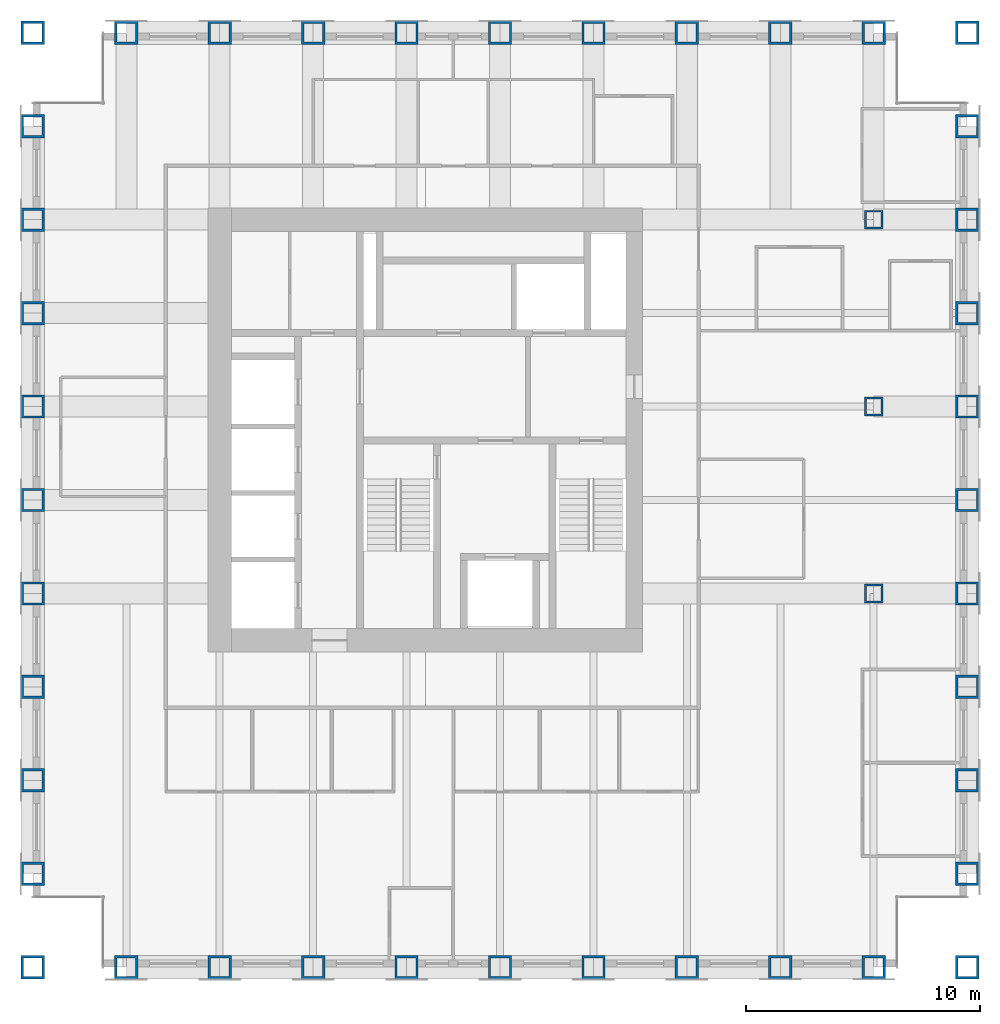
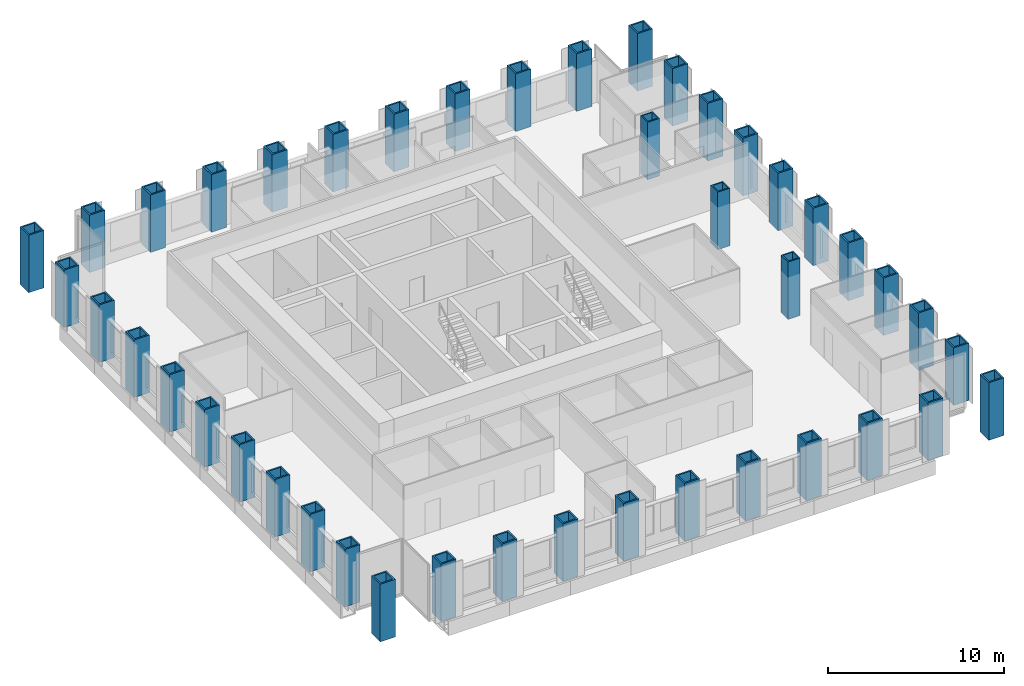
# One storey, part 1 of 13: 43 columns.
"""IFC4 building model written with IfcOpenShell, lengths in metres."""

from ifc_helpers import new_model, si_unit, direction, frame, origin, origin_2d, place, context, subcontext, project, spatial, hollow_rectangle, extrude, material, material_profile, profile_set, type_object, element, save


model = new_model("IFC4")

# Units and contexts
model_context = context("Model", 3, precision=1e-05, world=origin(), true_north=direction((0.0, 1.0)))
body_context = subcontext(model_context, "Body", "Model", "MODEL_VIEW")
ifc_project = project(units=[si_unit("LENGTHUNIT", "METRE"), si_unit("AREAUNIT", "SQUARE_METRE"), si_unit("VOLUMEUNIT", "CUBIC_METRE"), si_unit("PLANEANGLEUNIT", "RADIAN"), si_unit("MASSUNIT", "GRAM", prefix="KILO")], contexts=[model_context])

# Site, building, storey
site_placement = place(None, origin())
site = spatial("IfcSite", under=ifc_project, at=site_placement, CompositionType="ELEMENT")
building_placement = place(site_placement, origin())
building = spatial("IfcBuilding", under=site, at=building_placement, Name="Rimbunsela Tower", CompositionType="ELEMENT")
storey_placement = place(building_placement, frame((0.0, 0.0, 254.199951171875)))
storey = spatial("IfcBuildingStorey", under=building, at=storey_placement, Name="L61", CompositionType="ELEMENT", Elevation=254.199951171875)

# Columns
ifc_material_1 = material(Name="Steel BJ 55 (fy 410 MPa)", Category="steel")
ifc_material_profile_1 = material_profile(ifc_material_1, hollow_rectangle(XDim=1.0, YDim=1.0, WallThickness=0.10009765625, at=origin_2d()), Name="BOX 1000x1000x100")
ifc_profile_set_1 = profile_set([ifc_material_profile_1], Name="Steel BJ 55 (fy 410 MPa)")
column_type_1 = type_object("IfcColumnType", Name="Column BOX 1000x1000x100", PredefinedType="COLUMN", material=ifc_profile_set_1)
for number, where, z_axis, x_axis, name in (
    (1, (10.0, 4.0, 0.0), (0.0, 0.0, 1.0), (1.0, 0.0, 0.0), "Column C1 5/C L61"),
    (2, (10.0, 8.0, 0.0), (0.0, 0.0, 1.0), (1.0, 0.0, 0.0), "Column C1 5/D L61"),
    (3, (10.0, 12.0, 0.0), (0.0, 0.0, 1.0), (1.0, 0.0, 0.0), "Column C1 5/E L61"),
    (4, (10.0, 16.0, 0.0), (0.0, 0.0, 1.0), (1.0, 0.0, 0.0), "Column C1 5/F L61"),
    (5, (10.0, 20.0, 0.0), (0.0, 0.0, 1.0), (1.0, 0.0, 0.0), "Column C1 5/G L61"),
    (6, (10.0, 24.0, 0.0), (0.0, 0.0, 1.0), (1.0, 0.0, 0.0), "Column C1 5/H L61"),
    (7, (10.0, 28.0, 0.0), (0.0, 0.0, 1.0), (1.0, 0.0, 0.0), "Column C1 5/J L61"),
    (8, (10.0, 32.0, 0.0), (0.0, 0.0, 1.0), (1.0, 0.0, 0.0), "Column C1 5/K L61"),
    (9, (10.0, 36.0, 0.0), (0.0, 0.0, 1.0), (1.0, 0.0, 0.0), "Column C1 5/L L61"),
    (10, (10.0, 40.0, 0.0), (0.0, 0.0, 1.0), (1.0, 0.0, 0.0), "Column C1 5/M L61"),
    (11, (10.0, 44.0, 0.0), (0.0, 0.0, 1.0), (1.0, 0.0, 0.0), "Column C1 5/N L61"),
    (12, (14.0, 4.0, 0.0), (0.0, 0.0, 1.0), (1.0, 0.0, 0.0), "Column C1 6/C L61"),
    (13, (14.0, 44.0, 0.0), (0.0, 0.0, 1.0), (1.0, 0.0, 0.0), "Column C1 6/N L61"),
    (14, (18.0, 4.0, 0.0), (0.0, 0.0, 1.0), (1.0, 0.0, 0.0), "Column C1 7/C L61"),
    (15, (18.0, 44.0, 0.0), (0.0, 0.0, 1.0), (1.0, 0.0, 0.0), "Column C1 7/N L61"),
    (16, (22.0, 4.0, 0.0), (0.0, 0.0, 1.0), (1.0, 0.0, 0.0), "Column C1 8/C L61"),
    (17, (22.0, 44.0, 0.0), (0.0, 0.0, 1.0), (1.0, 0.0, 0.0), "Column C1 8/N L61"),
    (18, (26.0, 4.0, 0.0), (0.0, 0.0, 1.0), (1.0, 0.0, 0.0), "Column C1 9/C L61"),
    (19, (26.0, 44.0, 0.0), (0.0, 0.0, 1.0), (1.0, 0.0, 0.0), "Column C1 9/N L61"),
    (20, (30.0, 4.0, 0.0), (0.0, 0.0, 1.0), (1.0, 0.0, 0.0), "Column C1 10/C L61"),
    (21, (30.0, 44.0, 0.0), (0.0, 0.0, 1.0), (1.0, 0.0, 0.0), "Column C1 10/N L61"),
    (22, (34.0, 4.0, 0.0), (0.0, 0.0, 1.0), (1.0, 0.0, 0.0), "Column C1 11/C L61"),
    (23, (34.0, 44.0, 0.0), (0.0, 0.0, 1.0), (1.0, 0.0, 0.0), "Column C1 11/N L61"),
    (24, (38.0, 4.0, 0.0), (0.0, 0.0, 1.0), (1.0, 0.0, 0.0), "Column C1 12/C L61"),
    (25, (38.0, 44.0, 0.0), (0.0, 0.0, 1.0), (1.0, 0.0, 0.0), "Column C1 12/N L61"),
    (26, (42.0, 4.0, 0.0), (0.0, 0.0, 1.0), (1.0, 0.0, 0.0), "Column C1 13/C L61"),
    (27, (42.0, 44.0, 0.0), (0.0, 0.0, 1.0), (1.0, 0.0, 0.0), "Column C1 13/N L61"),
    (28, (46.0, 4.0, 0.0), (0.0, 0.0, 1.0), (1.0, 0.0, 0.0), "Column C1 14/C L61"),
    (29, (46.0, 44.0, 0.0), (0.0, 0.0, 1.0), (1.0, 0.0, 0.0), "Column C1 14/N L61"),
    (30, (50.0, 4.0, 0.0), (0.0, 0.0, 1.0), (1.0, 0.0, 0.0), "Column C1 15/C L61"),
    (31, (50.0, 8.0, 0.0), (0.0, 0.0, 1.0), (1.0, 0.0, 0.0), "Column C1 15/D L61"),
    (32, (50.0, 12.0, 0.0), (0.0, 0.0, 1.0), (1.0, 0.0, 0.0), "Column C1 15/E L61"),
    (33, (50.0, 16.0, 0.0), (0.0, 0.0, 1.0), (1.0, 0.0, 0.0), "Column C1 15/F L61"),
    (34, (50.0, 20.0, 0.0), (0.0, 0.0, 1.0), (1.0, 0.0, 0.0), "Column C1 15/G L61"),
    (35, (50.0, 24.0, 0.0), (0.0, 0.0, 1.0), (1.0, 0.0, 0.0), "Column C1 15/H L61"),
    (36, (50.0, 28.0, 0.0), (0.0, 0.0, 1.0), (1.0, 0.0, 0.0), "Column C1 15/J L61"),
    (37, (50.0, 32.0, 0.0), (0.0, 0.0, 1.0), (1.0, 0.0, 0.0), "Column C1 15/K L61"),
    (38, (50.0, 36.0, 0.0), (0.0, 0.0, 1.0), (1.0, 0.0, 0.0), "Column C1 15/L L61"),
    (39, (50.0, 40.0, 0.0), (0.0, 0.0, 1.0), (1.0, 0.0, 0.0), "Column C1 15/M L61"),
    (40, (50.0, 44.0, 0.0), (0.0, 0.0, 1.0), (1.0, 0.0, 0.0), "Column C1 15/N L61"),
):
    element("IfcColumn", number, at=place(storey_placement, frame(where, z_axis=z_axis, x_axis=x_axis)), inside=storey, type_object=column_type_1, Name=name, PredefinedType="COLUMN", context=body_context, shape_type="SweptSolid", body=[
        extrude(hollow_rectangle(XDim=1.0, YDim=1.0, WallThickness=0.10009765625, at=origin_2d()), origin(), (0.0, 0.0, 1.0), 4.0),
    ])
ifc_material_2 = material(Name="Steel BJ 55 (fy 410 MPa)", Category="steel")
ifc_material_profile_2 = material_profile(ifc_material_2, hollow_rectangle(XDim=0.800048828125, YDim=0.800048828125, WallThickness=0.080078125, at=origin_2d()), Name="BOX 800x800x80")
ifc_profile_set_2 = profile_set([ifc_material_profile_2], Name="Steel BJ 55 (fy 410 MPa)")
column_type_2 = type_object("IfcColumnType", Name="Column BOX 800x800x80", PredefinedType="COLUMN", material=ifc_profile_set_2)
for number, where, z_axis, x_axis, name in (
    (41, (46.0, 20.0, 0.0), (0.0, 0.0, 1.0), (1.0, 0.0, 0.0), "Column C2 14/G L61"),
    (42, (46.0, 28.0, 0.0), (0.0, 0.0, 1.0), (1.0, 0.0, 0.0), "Column C2 14/J L61"),
    (43, (46.0, 36.0, 0.0), (0.0, 0.0, 1.0), (1.0, 0.0, 0.0), "Column C2 14/L L61"),
):
    element("IfcColumn", number, at=place(storey_placement, frame(where, z_axis=z_axis, x_axis=x_axis)), inside=storey, type_object=column_type_2, Name=name, PredefinedType="COLUMN", context=body_context, shape_type="SweptSolid", body=[
        extrude(hollow_rectangle(XDim=0.800048828125, YDim=0.800048828125, WallThickness=0.080078125, at=origin_2d()), origin(), (0.0, 0.0, 1.0), 4.0),
    ])

save(model, "model.ifc")
